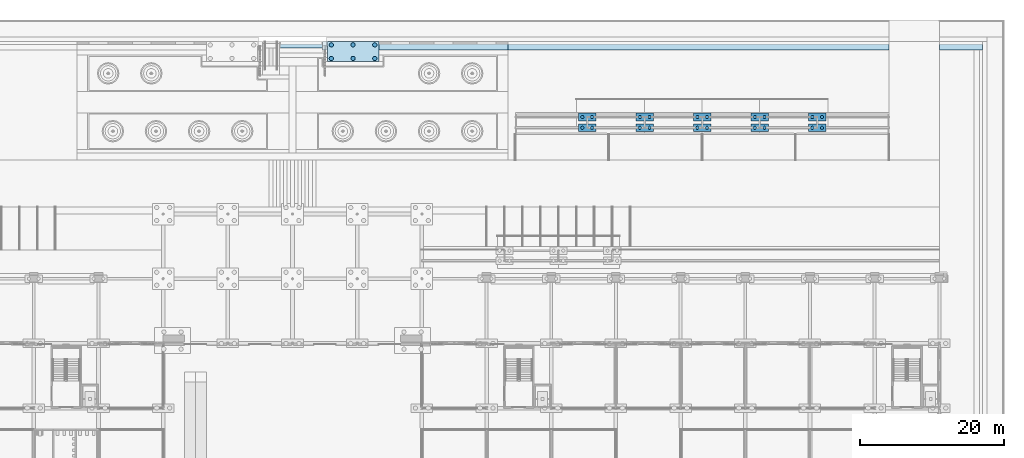
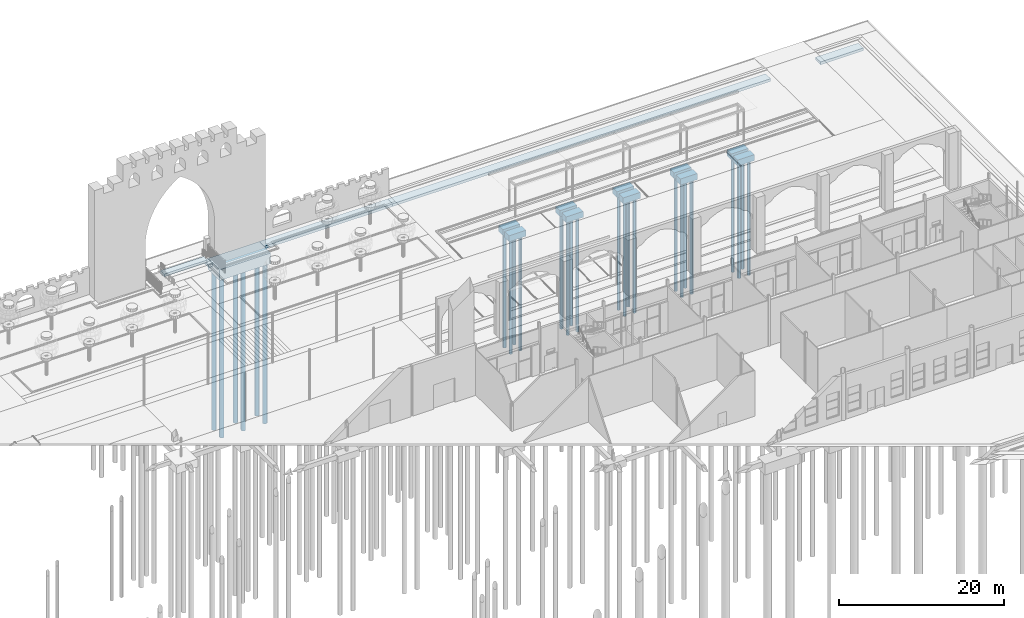
# One storey, part 8 of 250: 26 piles, 16 footings.
"""IFC4 building model written with IfcOpenShell, lengths in metres."""

from ifc_helpers import new_model, si_unit, direction, frame, origin, origin_2d, place, context, subcontext, project, spatial, rectangle, circle, extrude, material, type_object, element, save


model = new_model("IFC4")

# Units and contexts
model_context = context("Model", 3, precision=1e-05, world=origin(), true_north=direction((0.0, 1.0)))
body_context = subcontext(model_context, "Body", "Model", "MODEL_VIEW")
ifc_project = project(units=[si_unit("LENGTHUNIT", "METRE"), si_unit("AREAUNIT", "SQUARE_METRE"), si_unit("VOLUMEUNIT", "CUBIC_METRE"), si_unit("PLANEANGLEUNIT", "RADIAN"), si_unit("MASSUNIT", "GRAM", prefix="KILO")], contexts=[model_context])

# Site, building, storey
site_placement = place(None, origin())
site = spatial("IfcSite", under=ifc_project, at=site_placement, CompositionType="ELEMENT")
building_placement = place(site_placement, origin())
building = spatial("IfcBuilding", under=site, at=building_placement, Name="Baradari Gate Terminus", CompositionType="ELEMENT")
storey_placement = place(building_placement, origin())
storey = spatial("IfcBuildingStorey", under=building, at=storey_placement, Name="L00", CompositionType="ELEMENT", Elevation=0.0)

# Piles
ifc_material_1 = material(Name="Concrete C32/40", Category="concrete")
pile_type_1 = type_object("IfcPileType", Name="Bored pile BP2 D600", PredefinedType="BORED", material=ifc_material_1)
for number, where, z_axis, x_axis, name in (
    (1, (164.449951171875, 147.64990234375, -2.300048828125), (0.0, 0.0, -1.0), (1.0, 0.0, 0.0), "Bored pile BP2 under the Forecourt Gate E (1)"),
    (2, (164.449951171875, 149.5400390625, -2.300048828125), (0.0, 0.0, -1.0), (1.0, 0.0, 0.0), "Bored pile BP2 under the Forecourt Gate E (2)"),
    (3, (161.425048828125, 147.64990234375, -2.300048828125), (0.0, 0.0, -1.0), (1.0, 0.0, 0.0), "Bored pile BP2 under the Forecourt Gate E (3)"),
    (4, (161.425048828125, 149.5400390625, -2.300048828125), (0.0, 0.0, -1.0), (1.0, 0.0, 0.0), "Bored pile BP2 under the Forecourt Gate E (4)"),
    (5, (158.39990234375, 147.64990234375, -2.300048828125), (0.0, 0.0, -1.0), (1.0, 0.0, 0.0), "Bored pile BP2 under the Forecourt Gate E (5)"),
    (6, (158.39990234375, 149.5400390625, -2.300048828125), (0.0, 0.0, -1.0), (1.0, 0.0, 0.0), "Bored pile BP2 under the Forecourt Gate E (6)"),
):
    element("IfcPile", number, at=place(storey_placement, frame(where, z_axis=z_axis, x_axis=x_axis)), inside=storey, type_object=pile_type_1, Name=name, PredefinedType="BORED", context=body_context, shape_type="SweptSolid", body=[
        extrude(circle(Radius=0.300048828125, at=origin_2d()), origin(), (0.0, 0.0, 1.0), 23.699951171875),
    ])
ifc_material_2 = material(Name="Concrete C32/40", Category="concrete")
pile_type_2 = type_object("IfcPileType", Name="Bored pile BP4 D450", PredefinedType="BORED", material=ifc_material_2)
for number, where, z_axis, x_axis, name in (
    (7, (193.324951171875, 138.0, -2.89990234375), (0.0, 0.0, -1.0), (1.0, 0.0, 0.0), "Bored pile BP4 at BS-C01 (1)"),
    (8, (194.675048828125, 138.0, -2.89990234375), (0.0, 0.0, -1.0), (1.0, 0.0, 0.0), "Bored pile BP4 at BS-C01 (2)"),
    (9, (201.324951171875, 138.0, -2.89990234375), (0.0, 0.0, -1.0), (1.0, 0.0, 0.0), "Bored pile BP4 at BS-C02 (1)"),
    (10, (202.675048828125, 138.0, -2.89990234375), (0.0, 0.0, -1.0), (1.0, 0.0, 0.0), "Bored pile BP4 at BS-C02 (2)"),
    (11, (209.324951171875, 138.0, -2.89990234375), (0.0, 0.0, -1.0), (1.0, 0.0, 0.0), "Bored pile BP4 at BS-C03 (1)"),
    (12, (210.675048828125, 138.0, -2.89990234375), (0.0, 0.0, -1.0), (1.0, 0.0, 0.0), "Bored pile BP4 at BS-C03 (2)"),
    (13, (217.324951171875, 138.0, -2.89990234375), (0.0, 0.0, -1.0), (1.0, 0.0, 0.0), "Bored pile BP4 at BS-C04 (1)"),
    (14, (218.675048828125, 138.0, -2.89990234375), (0.0, 0.0, -1.0), (1.0, 0.0, 0.0), "Bored pile BP4 at BS-C04 (2)"),
    (15, (225.324951171875, 138.0, -2.89990234375), (0.0, 0.0, -1.0), (1.0, 0.0, 0.0), "Bored pile BP4 at BS-C05 (1)"),
    (16, (226.675048828125, 138.0, -2.89990234375), (0.0, 0.0, -1.0), (1.0, 0.0, 0.0), "Bored pile BP4 at BS-C05 (2)"),
    (17, (193.324951171875, 139.5, -2.89990234375), (0.0, 0.0, -1.0), (1.0, 0.0, 0.0), "Bored pile BP4 at BS-C06 (1)"),
    (18, (194.675048828125, 139.5, -2.89990234375), (0.0, 0.0, -1.0), (1.0, 0.0, 0.0), "Bored pile BP4 at BS-C06 (2)"),
    (19, (201.324951171875, 139.5, -2.89990234375), (0.0, 0.0, -1.0), (1.0, 0.0, 0.0), "Bored pile BP4 at BS-C07 (1)"),
    (20, (202.675048828125, 139.5, -2.89990234375), (0.0, 0.0, -1.0), (1.0, 0.0, 0.0), "Bored pile BP4 at BS-C07 (2)"),
    (21, (209.324951171875, 139.5, -2.89990234375), (0.0, 0.0, -1.0), (1.0, 0.0, 0.0), "Bored pile BP4 at BS-C08 (1)"),
    (22, (210.675048828125, 139.5, -2.89990234375), (0.0, 0.0, -1.0), (1.0, 0.0, 0.0), "Bored pile BP4 at BS-C08 (2)"),
    (23, (217.324951171875, 139.5, -2.89990234375), (0.0, 0.0, -1.0), (1.0, 0.0, 0.0), "Bored pile BP4 at BS-C09 (1)"),
    (24, (218.675048828125, 139.5, -2.89990234375), (0.0, 0.0, -1.0), (1.0, 0.0, 0.0), "Bored pile BP4 at BS-C09 (2)"),
    (25, (225.324951171875, 139.5, -2.89990234375), (0.0, 0.0, -1.0), (1.0, 0.0, 0.0), "Bored pile BP4 at BS-C10 (1)"),
    (26, (226.675048828125, 139.5, -2.89990234375), (0.0, 0.0, -1.0), (1.0, 0.0, 0.0), "Bored pile BP4 at BS-C10 (2)"),
):
    element("IfcPile", number, at=place(storey_placement, frame(where, z_axis=z_axis, x_axis=x_axis)), inside=storey, type_object=pile_type_2, Name=name, PredefinedType="BORED", context=body_context, shape_type="SweptSolid", body=[
        extrude(circle(Radius=0.22509765625, at=origin_2d()), origin(), (0.0, 0.0, 1.0), 17.10009765625),
    ])

# Footings
ifc_material_3 = material(Name="Concrete C32/40", Category="concrete")
footing_type_1 = type_object("IfcFootingType", Name="Cheek strip footing SFC-1 900x400", PredefinedType="STRIP_FOOTING", material=ifc_material_3)
footing_1_placement = place(storey_placement, frame((154.199951171875, 149.550048828125, -0.659912109375), z_axis=(0.0, 0.0, 1.0), x_axis=(1.0, 0.0, 0.0)))
element("IfcFooting", 27, at=footing_1_placement, inside=storey, type_object=footing_type_1, Name="Strip footing under the foot of Garden gate steps", PredefinedType="STRIP_FOOTING", context=body_context, shape_type="SweptSolid", body=[
    extrude(rectangle(XDim=6.0, YDim=0.89990234375, at=origin_2d()), origin(), (0.0, 0.0, 1.0), 0.39990234375),
])
ifc_material_4 = material(Name="Concrete C32/40", Category="concrete")
footing_type_2 = type_object("IfcFootingType", Name="Kerb strip footing SFK-1 1200x400", PredefinedType="STRIP_FOOTING", material=ifc_material_4)
footing_2_placement = place(storey_placement, frame((174.0, 149.39990234375, -1.199951171875), z_axis=(0.0, 0.0, 1.0), x_axis=(1.0, 0.0, 0.0)))
element("IfcFooting", 28, at=footing_2_placement, inside=storey, type_object=footing_type_2, Name="Strip footing under plinth wall N4a", PredefinedType="STRIP_FOOTING", context=body_context, shape_type="SweptSolid", body=[
    extrude(rectangle(XDim=18.0, YDim=1.199951171875, at=origin_2d()), origin(), (0.0, 0.0, 1.0), 0.39990234375),
])
footing_3_placement = place(storey_placement, frame((209.5, 149.39990234375, -1.199951171875), z_axis=(0.0, 0.0, 1.0), x_axis=(1.0, 0.0, 0.0)))
element("IfcFooting", 29, at=footing_3_placement, inside=storey, type_object=footing_type_2, Name="Strip footing under plinth wall N4b", PredefinedType="STRIP_FOOTING", context=body_context, shape_type="SweptSolid", body=[
    extrude(rectangle(XDim=53.0, YDim=1.199951171875, at=origin_2d()), origin(), (0.0, 0.0, 1.0), 0.39990234375),
])
footing_4_placement = place(storey_placement, frame((246.0, 149.39990234375, -1.199951171875), z_axis=(0.0, 0.0, 1.0), x_axis=(1.0, 0.0, 0.0)))
element("IfcFooting", 30, at=footing_4_placement, inside=storey, type_object=footing_type_2, Name="Strip footing under plinth wall N5", PredefinedType="STRIP_FOOTING", context=body_context, shape_type="SweptSolid", body=[
    extrude(rectangle(XDim=6.0, YDim=1.199951171875, at=origin_2d()), origin(), (0.0, 0.0, 1.0), 0.39990234375),
])
footing_5_placement = place(storey_placement, frame((157.5, 149.39990234375, -1.199951171875), z_axis=(0.0, 0.0, 1.0), x_axis=(1.0, 0.0, 0.0)))
element("IfcFooting", 31, at=footing_5_placement, inside=storey, type_object=footing_type_2, Name="Strip footing under gate pier GN1 b", PredefinedType="STRIP_FOOTING", context=body_context, shape_type="SweptSolid", body=[
    extrude(rectangle(XDim=0.60009765625, YDim=1.199951171875, at=origin_2d()), origin(), (0.0, 0.0, 1.0), 0.39990234375),
])
ifc_material_5 = material(Name="Concrete C32/40", Category="concrete")
footing_type_3 = type_object("IfcFootingType", Name="Pile cap PC6 2400x1050x900", PredefinedType="PILE_CAP", material=ifc_material_5)
for number, where, z_axis, x_axis, name in (
    (32, (194.0, 138.0, -3.0), (0.0, 0.0, 1.0), (1.0, 0.0, 0.0), "Pile cap PC6 at BS-C01"),
    (33, (202.0, 138.0, -3.0), (0.0, 0.0, 1.0), (1.0, 0.0, 0.0), "Pile cap PC6 at BS-C02"),
    (34, (210.0, 138.0, -3.0), (0.0, 0.0, 1.0), (1.0, 0.0, 0.0), "Pile cap PC6 at BS-C03"),
    (35, (218.0, 138.0, -3.0), (0.0, 0.0, 1.0), (1.0, 0.0, 0.0), "Pile cap PC6 at BS-C04"),
    (36, (226.0, 138.0, -3.0), (0.0, 0.0, 1.0), (1.0, 0.0, 0.0), "Pile cap PC6 at BS-C05"),
    (37, (194.0, 139.5, -3.0), (0.0, 0.0, 1.0), (1.0, 0.0, 0.0), "Pile cap PC6 at BS-C06"),
    (38, (202.0, 139.5, -3.0), (0.0, 0.0, 1.0), (1.0, 0.0, 0.0), "Pile cap PC6 at BS-C07"),
    (39, (210.0, 139.5, -3.0), (0.0, 0.0, 1.0), (1.0, 0.0, 0.0), "Pile cap PC6 at BS-C08"),
    (40, (218.0, 139.5, -3.0), (0.0, 0.0, 1.0), (1.0, 0.0, 0.0), "Pile cap PC6 at BS-C09"),
    (41, (226.0, 139.5, -3.0), (0.0, 0.0, 1.0), (1.0, 0.0, 0.0), "Pile cap PC6 at BS-C10"),
):
    element("IfcFooting", number, at=place(storey_placement, frame(where, z_axis=z_axis, x_axis=x_axis)), inside=storey, type_object=footing_type_3, Name=name, PredefinedType="PILE_CAP", context=body_context, shape_type="SweptSolid", body=[
        extrude(rectangle(XDim=2.39990234375, YDim=1.050048828125, at=origin_2d()), origin(), (0.0, 0.0, 1.0), 0.89990234375),
    ])
ifc_material_6 = material(Name="Concrete C32/40", Category="concrete")
footing_type_4 = type_object("IfcFootingType", Name="Pile cap PC9 7150x2795x1600", PredefinedType="PILE_CAP", material=ifc_material_6)
footing_6_placement = place(storey_placement, frame((161.425048828125, 148.597412109375, -2.400146484375), z_axis=(0.0, 0.0, 1.0), x_axis=(1.0, 0.0, 0.0)))
element("IfcFooting", 42, at=footing_6_placement, inside=storey, type_object=footing_type_4, Name="Pile cap PC9 under the Forecourt Gate, east pier", PredefinedType="PILE_CAP", context=body_context, shape_type="SweptSolid", body=[
    extrude(rectangle(XDim=7.14990234375, YDim=2.794921875, at=origin_2d()), origin(), (0.0, 0.0, 1.0), 1.60009765625),
])

save(model, "model.ifc")
